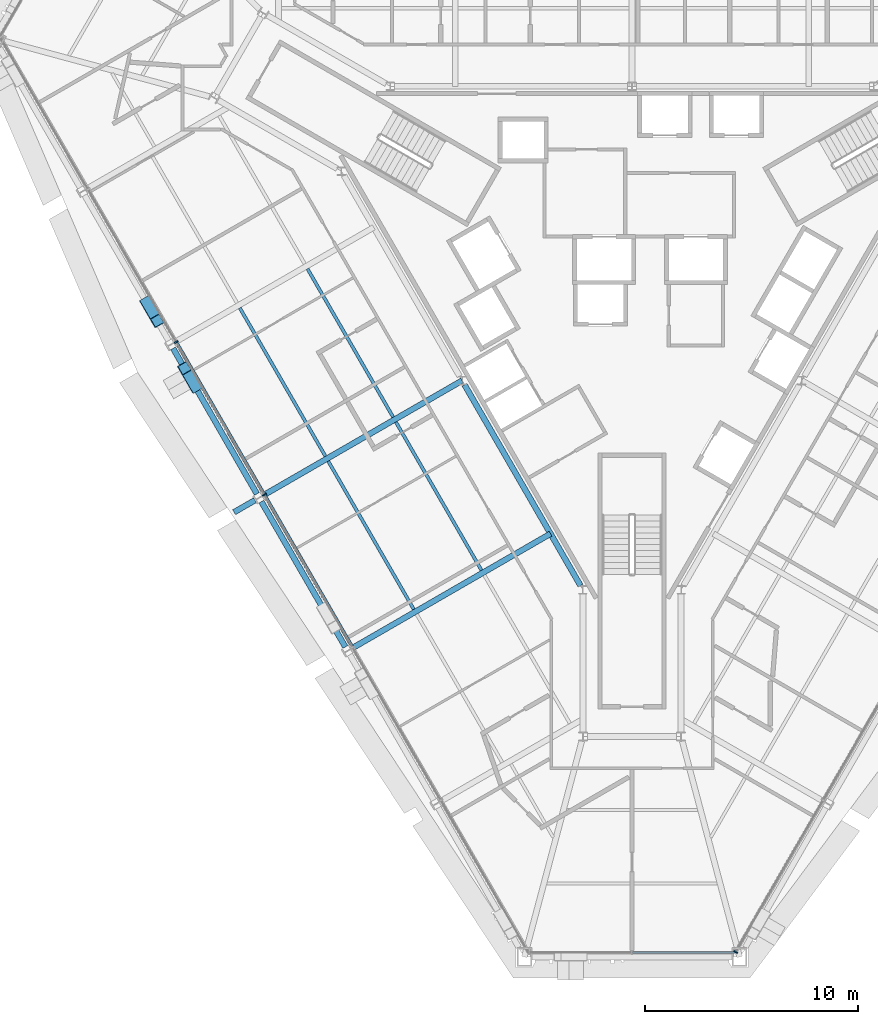
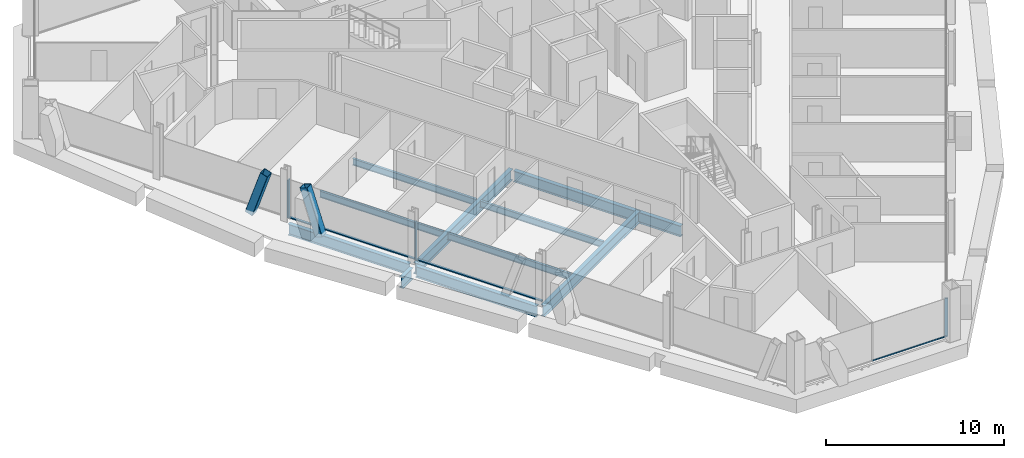
# One storey, part 4 of 17: 10 beams, 8 members, 3 elements without a shape of their own.
"""IFC4 building model written with IfcOpenShell, lengths in metres."""

import ifcopenshell
import ifcopenshell.guid

model = None  # the IFC model being written
_history = None  # IfcOwnerHistory: only IFC2X3 demands one
_inside = {}  # id of a spatial element -> (the spatial element, [elements in it])
_under = {}  # id of a project, library or spatial element -> (it, [spatial elements below it])
_declared = {}  # id of a project -> (the project, [libraries it declares])
_typed = {}  # id of a type object -> (the type object, [elements of that type])
_made_of = {}  # id of a material, layer set ... -> (it, [elements and type objects made of it])


def new_model(schema):
    """Start an empty IFC model of exactly this schema.

    Asked for "IFC4X3", IfcOpenShell would pick the latest addendum, in which some entities
    have other attributes; the version numbers below select the first issue.
    IFC2X3 requires an IfcOwnerHistory on every rooted entity: one is made here for all.
    """
    global model, _history
    if schema == "IFC4X3":
        model = ifcopenshell.file(schema_version=(4, 3, 0, 0))
    else:
        model = ifcopenshell.file(schema=schema)
    _inside.clear()
    _under.clear()
    _declared.clear()
    _typed.clear()
    _made_of.clear()
    _history = None
    if model.schema == "IFC2X3":
        org = make("IfcOrganization", Name="unknown")
        user = make(
            "IfcPersonAndOrganization",
            ThePerson=make("IfcPerson", FamilyName="unknown"),
            TheOrganization=org,
        )
        app = make(
            "IfcApplication",
            ApplicationDeveloper=org,
            Version="unknown",
            ApplicationFullName="unknown",
            ApplicationIdentifier="unknown",
        )
        _history = make(
            "IfcOwnerHistory",
            OwningUser=user,
            OwningApplication=app,
            ChangeAction="ADDED",
            CreationDate=0,
        )
    return model


def make(cls, **values):
    """One entity of the class cls with the attributes given. An attribute that is None is left unset."""
    return model.create_entity(
        cls, **{name: value for name, value in values.items() if value is not None}
    )


def rooted(cls, **values):
    """An entity with a GlobalId (a new one), such as an element, a storey or a relation."""
    return make(cls, GlobalId=ifcopenshell.guid.new(), OwnerHistory=_history, **values)


def si_unit(unit_type, name, prefix=None):
    """IfcSIUnit, for example si_unit("LENGTHUNIT", "METRE", prefix="MILLI")."""
    return make("IfcSIUnit", UnitType=unit_type, Prefix=prefix, Name=name)


def assignment(units):
    """IfcUnitAssignment: the units of a project."""
    return None if units is None else make("IfcUnitAssignment", Units=units)


def point(xyz):
    """IfcCartesianPoint."""
    return None if xyz is None else make("IfcCartesianPoint", Coordinates=xyz)


def direction(xyz):
    """IfcDirection."""
    return None if xyz is None else make("IfcDirection", DirectionRatios=xyz)


def frame(location, z_axis=None, x_axis=None):
    """IfcAxis2Placement3D, a coordinate frame: its origin and axes. An axis left out is left unset."""
    return make(
        "IfcAxis2Placement3D",
        Location=point(location),
        Axis=direction(z_axis),
        RefDirection=direction(x_axis),
    )


def frame_2d(location, x_axis=None):
    """IfcAxis2Placement2D, a coordinate frame in the plane: its origin and x axis."""
    return make(
        "IfcAxis2Placement2D", Location=point(location), RefDirection=direction(x_axis)
    )


def origin():
    """The frame at (0, 0, 0) with its axes left unset."""
    return frame((0.0, 0.0, 0.0))


def origin_2d():
    """The frame at (0, 0) in the plane with its x axis left unset."""
    return frame_2d((0.0, 0.0))


def place(relative_to, where):
    """IfcLocalPlacement: puts the frame where relative to a parent placement (None: the world)."""
    return make(
        "IfcLocalPlacement", PlacementRelTo=relative_to, RelativePlacement=where
    )


def context(
    kind, dimensions, precision=None, world=None, true_north=None, identifier=None
):
    """IfcGeometricRepresentationContext, for example the 3D "Model" context."""
    return make(
        "IfcGeometricRepresentationContext",
        ContextIdentifier=identifier,
        ContextType=kind,
        CoordinateSpaceDimension=dimensions,
        Precision=precision,
        WorldCoordinateSystem=world,
        TrueNorth=true_north,
    )


def subcontext(parent, identifier, kind, view, scale=None):
    """IfcGeometricRepresentationSubContext, for example "Body" below "Model"."""
    return make(
        "IfcGeometricRepresentationSubContext",
        ContextIdentifier=identifier,
        ContextType=kind,
        ParentContext=parent,
        TargetScale=scale,
        TargetView=view,
    )


def project(units=None, contexts=None):
    """IfcProject with its units and contexts."""
    return rooted(
        "IfcProject",
        Name="project",
        RepresentationContexts=contexts,
        UnitsInContext=assignment(units),
    )


def spatial(cls, under=None, at=None, **own):
    """A site, building, storey or space (cls), placed at a placement, below another one or the project."""
    s = rooted(cls, ObjectPlacement=at, **own)
    if under is not None:
        _under.setdefault(under.id(), (under, []))[1].append(s)
    return s


def profile(cls, at=None, kind="AREA", **sizes):
    """A parametric profile (cls). Its sizes go by their IFC names, for example OverallWidth=200.0."""
    return make(cls, ProfileType=kind, Position=at, **sizes)


def rectangle(**sizes):
    """IfcRectangleProfileDef."""
    return profile("IfcRectangleProfileDef", **sizes)


def hollow_rectangle(**sizes):
    """IfcRectangleHollowProfileDef."""
    return profile("IfcRectangleHollowProfileDef", **sizes)


def i_section(**sizes):
    """IfcIShapeProfileDef."""
    return profile("IfcIShapeProfileDef", **sizes)


def extrude(swept, where, along, depth):
    """IfcExtrudedAreaSolid: the profile swept, set in the frame where, extruded along a direction by depth."""
    return make(
        "IfcExtrudedAreaSolid",
        SweptArea=swept,
        Position=where,
        ExtrudedDirection=direction(along),
        Depth=depth,
    )


def shape(context_of_items, identifier, shape_type, items):
    """IfcShapeRepresentation: the items that make up one representation, for example the "Body"."""
    return make(
        "IfcShapeRepresentation",
        ContextOfItems=context_of_items,
        RepresentationIdentifier=identifier,
        RepresentationType=shape_type,
        Items=items,
    )


def material(Name=None, Category=None):
    """IfcMaterial."""
    return make("IfcMaterial", Name=Name, Category=Category)


def material_profile(
    of_material, cross_section, Name=None, Category=None, Priority=None
):
    """IfcMaterialProfile: a cross section and its material."""
    return make(
        "IfcMaterialProfile",
        Name=Name,
        Material=of_material,
        Profile=cross_section,
        Priority=Priority,
        Category=Category,
    )


def profile_set(profiles, Name=None, composite=None):
    """IfcMaterialProfileSet."""
    return make(
        "IfcMaterialProfileSet",
        Name=Name,
        MaterialProfiles=profiles,
        CompositeProfile=composite,
    )


def made_of(thing, what):
    """Note that an element or type object is made of a material, layer set ...; save() writes the relation."""
    if what is not None:
        _made_of.setdefault(what.id(), (what, []))[1].append(thing)
    return thing


def type_object(cls, material=None, **own):
    """A type object (cls), such as IfcWallType, which elements share."""
    return made_of(rooted(cls, **own), material)


def element(
    cls,
    number,
    at=None,
    inside=None,
    cuts=None,
    type_object=None,
    material=None,
    context=None,
    identifier="Body",
    shape_type=None,
    held_by="IfcProductDefinitionShape",
    body=None,
    shapes=None,
    **own,
):
    """One element of the class cls, such as IfcWall. Its Tag is "e" and its number.

    at: its placement. inside: the storey or other place that contains it. cuts: it is an
    opening in that element (IfcRelVoidsElement). A single representation is given by context,
    identifier, shape_type and body (its items); several are given by shapes. held_by: the class
    of the entity that holds the representations. save() writes the other relations.
    """
    e = rooted(cls, Tag="e%d" % number, ObjectPlacement=at, **own)
    if body is not None:
        shapes = [shape(context, identifier, shape_type, body)]
    if shapes is not None:
        e.Representation = make(held_by, Representations=shapes)
    if inside is not None:
        _inside.setdefault(inside.id(), (inside, []))[1].append(e)
    if cuts is not None:
        rooted(
            "IfcRelVoidsElement", RelatingBuildingElement=cuts, RelatedOpeningElement=e
        )
    if type_object is not None:
        _typed.setdefault(type_object.id(), (type_object, []))[1].append(e)
    return made_of(e, material)


def aggregate(whole, parts):
    """IfcRelAggregates: a whole, such as a stair, and the parts it consists of."""
    return rooted("IfcRelAggregates", RelatingObject=whole, RelatedObjects=parts)


def save(model, path):
    """Write the relations noted so far, then the file.

    IfcRelAggregates (storeys below a building ...), IfcRelContainedInSpatialStructure (elements
    in a storey), IfcRelDefinesByType, IfcRelAssociatesMaterial and IfcRelDeclares: one each for
    every whole, place, type object, material and project.
    """
    for whole, parts in _under.values():
        aggregate(whole, parts)
    for where, things in _inside.values():
        rooted(
            "IfcRelContainedInSpatialStructure",
            RelatedElements=things,
            RelatingStructure=where,
        )
    for kind, things in _typed.values():
        rooted("IfcRelDefinesByType", RelatedObjects=things, RelatingType=kind)
    for what, things in _made_of.values():
        rooted("IfcRelAssociatesMaterial", RelatedObjects=things, RelatingMaterial=what)
    for by, libraries in _declared.values():
        rooted("IfcRelDeclares", RelatingContext=by, RelatedDefinitions=libraries)
    model.write(path)


model = new_model("IFC4")

# Units and contexts
model_context = context("Model", 3, precision=1e-05, world=origin(), true_north=direction((0.0, 1.0)))
body_context = subcontext(model_context, "Body", "Model", "MODEL_VIEW")
ifc_project = project(units=[si_unit("LENGTHUNIT", "METRE"), si_unit("AREAUNIT", "SQUARE_METRE"), si_unit("VOLUMEUNIT", "CUBIC_METRE"), si_unit("PLANEANGLEUNIT", "RADIAN"), si_unit("MASSUNIT", "GRAM", prefix="KILO")], contexts=[model_context])

# Site, building, storey
site_placement = place(None, origin())
site = spatial("IfcSite", under=ifc_project, at=site_placement, CompositionType="ELEMENT")
building_placement = place(site_placement, origin())
building = spatial("IfcBuilding", under=site, at=building_placement, Name="Verrane Prism Tower", CompositionType="ELEMENT")
storey_placement = place(building_placement, frame((0.0, 0.0, 136.0)))
storey = spatial("IfcBuildingStorey", under=building, at=storey_placement, Name="L33", CompositionType="ELEMENT", Elevation=136.0)

# Beam
ifc_material_1 = material(Name="Steel A992", Category="steel")
ifc_material_profile_1 = material_profile(ifc_material_1, i_section(OverallWidth=0.2666015625, OverallDepth=0.7568359375, WebThickness=0.013916015625, FlangeThickness=0.019287109375, FilletRadius=0.0166015625, at=origin_2d()), Name="W30x108")
ifc_profile_set_1 = profile_set([ifc_material_profile_1], Name="Steel A992")
beam_type_1 = type_object("IfcBeamType", Name="Core ring girder W30x108", PredefinedType="BEAM", material=ifc_profile_set_1)
beam_1_placement = place(storey_placement, frame((-7.85498046875, -4.79931640625, -0.62841796875), z_axis=(0.500034555306, -0.86600545235, 0.0), x_axis=(0.86600545235, 0.500034555306, 0.0)))
element("IfcBeam", 1, at=beam_1_placement, inside=storey, type_object=beam_type_1, Name="Core ring girder L33", PredefinedType="BEAM", context=body_context, shape_type="SweptSolid", body=[
    extrude(i_section(OverallWidth=0.2666015625, OverallDepth=0.7568359375, WebThickness=0.013916015625, FlangeThickness=0.019287109375, FilletRadius=0.0166015625, at=origin_2d()), origin(), (0.0, 0.0, 1.0), 10.879150390625),
])

# Members
ifc_material_2 = material(Name="Steel A1085 Grade A", Category="steel")
ifc_material_profile_2 = material_profile(ifc_material_2, hollow_rectangle(XDim=0.508056640625, YDim=0.508056640625, WallThickness=0.025390625, InnerFilletRadius=0.0126953125, OuterFilletRadius=0.0380859375, at=origin_2d()), Name="HSS20x20x1")
ifc_profile_set_2 = profile_set([ifc_material_profile_2], Name="Steel A1085 Grade A")
member_type_1 = type_object("IfcMemberType", Name="Facade brace HSS20x20x1", PredefinedType="BRACE", material=ifc_profile_set_2)
member_1_placement = place(storey_placement, frame((-22.76708984375, -0.94287109375, -0.24267578125), z_axis=(0.156487685376, -0.270654316924, 0.949872541479), x_axis=(0.865713128384, 0.500540487217, 0.0)))
element("IfcMember", 2, at=member_1_placement, inside=storey, type_object=member_type_1, Name="Facade brace SW1 L33", PredefinedType="BRACE", context=body_context, shape_type="SweptSolid", body=[
    extrude(hollow_rectangle(XDim=0.508056640625, YDim=0.508056640625, WallThickness=0.025390625, InnerFilletRadius=0.0126953125, OuterFilletRadius=0.0380859375, at=origin_2d()), origin(), (0.0, 0.0, 1.0), 3.1669921875),
])
member_2_placement = place(storey_placement, frame((-20.495849609375, -4.8798828125, -0.24267578125), z_axis=(-0.156020148581, 0.271031048622, 0.949842031035), x_axis=(-0.866661212793, -0.498897125908, 0.0)))
element("IfcMember", 3, at=member_2_placement, inside=storey, type_object=member_type_1, Name="Facade brace SW2 L33", PredefinedType="BRACE", context=body_context, shape_type="SweptSolid", body=[
    extrude(hollow_rectangle(XDim=0.508056640625, YDim=0.508056640625, WallThickness=0.025390625, InnerFilletRadius=0.0126953125, OuterFilletRadius=0.0380859375, at=origin_2d()), origin(), (0.0, 0.0, 1.0), 3.167236328125),
])

# Beams
ifc_material_3 = material(Name="Steel A992", Category="steel")
ifc_material_profile_3 = material_profile(ifc_material_3, i_section(OverallWidth=0.15234375, OverallDepth=0.449462890625, WebThickness=0.007568359375, FlangeThickness=0.0107421875, FilletRadius=0.01025390625, at=origin_2d()), Name="W18x35")
ifc_profile_set_3 = profile_set([ifc_material_profile_3], Name="Steel A992")
beam_type_2 = type_object("IfcBeamType", Name="Floor beam W18x35", PredefinedType="BEAM", material=ifc_profile_set_3)
for number, where, z_axis, x_axis, name in (
    (4, (-11.20458984375, -6.314453125, -0.384765625), (-0.500007577232, 0.866021029023, 0.0), (-0.866021029023, -0.500007577232, 0.0), "Floor beam L33"),
    (5, (-14.380615234375, -8.1494140625, -0.384765625), (-0.500007577232, 0.866021029023, 0.0), (-0.866021029023, -0.500007577232, 0.0), "Floor beam L33"),
):
    element("IfcBeam", number, at=place(storey_placement, frame(where, z_axis=z_axis, x_axis=x_axis)), inside=storey, type_object=beam_type_2, Name=name, PredefinedType="BEAM", context=body_context, shape_type="SweptSolid", body=[
        extrude(i_section(OverallWidth=0.15234375, OverallDepth=0.449462890625, WebThickness=0.007568359375, FlangeThickness=0.0107421875, FilletRadius=0.01025390625, at=origin_2d()), origin(), (0.0, 0.0, 1.0), 8.02978515625),
    ])
beam_2_placement = place(storey_placement, frame((-7.061279296875, -13.498291015625, -0.384765625), z_axis=(-0.499996300355, 0.866027539765, 0.0), x_axis=(-0.866027539765, -0.499996300355, 0.0)))
element("IfcBeam", 6, at=beam_2_placement, inside=storey, type_object=beam_type_2, Name="Floor beam L33", PredefinedType="BEAM", context=body_context, shape_type="SweptSolid", body=[
    extrude(i_section(OverallWidth=0.15234375, OverallDepth=0.449462890625, WebThickness=0.007568359375, FlangeThickness=0.0107421875, FilletRadius=0.01025390625, at=origin_2d()), origin(), (0.0, 0.0, 1.0), 8.02587890625),
])
beam_3_placement = place(storey_placement, frame((-10.235595703125, -15.33251953125, -0.384765625), z_axis=(-0.500005942522, 0.86602197284, 0.0), x_axis=(-0.86602197284, -0.500005942522, 0.0)))
element("IfcBeam", 7, at=beam_3_placement, inside=storey, type_object=beam_type_2, Name="Floor beam L33", PredefinedType="BEAM", context=body_context, shape_type="SweptSolid", body=[
    extrude(i_section(OverallWidth=0.15234375, OverallDepth=0.449462890625, WebThickness=0.007568359375, FlangeThickness=0.0107421875, FilletRadius=0.01025390625, at=origin_2d()), origin(), (0.0, 0.0, 1.0), 8.0263671875),
])

# Curtain wall, members
ifc_material_4 = material(Name="Aluminium framed insulated glazing", Category="aluminium")
curtain_wall_type_1 = type_object("IfcCurtainWallType", Name="Curtain wall CW-A 8400 module", PredefinedType="NOTDEFINED", material=ifc_material_4)
curtain_wall_1_placement = place(storey_placement, origin())
curtain_wall_1 = element("IfcCurtainWall", 8, at=curtain_wall_1_placement, inside=storey, type_object=curtain_wall_type_1, Name="Glazed curtain wall south-west face L33", PredefinedType="NOTDEFINED")
ifc_material_5 = material(Name="Aluminium alloy 6063-T6", Category="aluminium")
ifc_material_profile_4 = material_profile(ifc_material_5, rectangle(XDim=0.199951171875, YDim=0.070068359375, at=origin_2d()), Name="Mullion 70x200 aluminium")
ifc_profile_set_4 = profile_set([ifc_material_profile_4], Name="Aluminium alloy 6063-T6")
member_type_2 = type_object("IfcMemberType", Name="Mullion 70x200 aluminium", PredefinedType="MULLION", material=ifc_profile_set_4)
member_3_placement = place(storey_placement, frame((-21.377197265625, -2.79541015625, 0.0), z_axis=(0.0, 0.0, 1.0), x_axis=(0.866025120648, 0.500000490406, 0.0)))
member_3 = element("IfcMember", 9, at=member_3_placement, type_object=member_type_2, Name="CW32.4 mullion 3", PredefinedType="MULLION", context=body_context, shape_type="SweptSolid", body=[
    extrude(rectangle(XDim=0.199951171875, YDim=0.070068359375, at=origin_2d()), origin(), (0.0, 0.0, 1.0), 2.61279296875),
])
member_4_placement = place(storey_placement, frame((-17.243408203125, -9.95556640625, 0.0), z_axis=(0.0, 0.0, 1.0), x_axis=(0.866025120648, 0.500000490406, 0.0)))
member_4 = element("IfcMember", 10, at=member_4_placement, type_object=member_type_2, Name="CW32.4 mullion 4", PredefinedType="MULLION", context=body_context, shape_type="SweptSolid", body=[
    extrude(rectangle(XDim=0.199951171875, YDim=0.070068359375, at=origin_2d()), origin(), (0.0, 0.0, 1.0), 2.61279296875),
])

# Curtain wall, member
curtain_wall_2_placement = place(storey_placement, origin())
curtain_wall_2 = element("IfcCurtainWall", 11, at=curtain_wall_2_placement, inside=storey, type_object=curtain_wall_type_1, Name="Glazed curtain wall south-east face L33", PredefinedType="NOTDEFINED")
member_5_placement = place(storey_placement, frame((4.859375, -31.4052734375, 0.0), z_axis=(0.0, 0.0, 1.0), x_axis=(-0.866025120648, 0.500000490406, 0.0)))
member_5 = element("IfcMember", 12, at=member_5_placement, type_object=member_type_2, Name="CW32.6 mullion 1", PredefinedType="MULLION", context=body_context, shape_type="SweptSolid", body=[
    extrude(rectangle(XDim=0.199951171875, YDim=0.070068359375, at=origin_2d()), origin(), (0.0, 0.0, 1.0), 2.61279296875),
])
aggregate(curtain_wall_2, [member_5])

# Beams
ifc_material_6 = material(Name="Steel A992", Category="steel")
ifc_material_profile_5 = material_profile(ifc_material_6, i_section(OverallWidth=0.2666015625, OverallDepth=0.76708984375, WebThickness=0.014892578125, FlangeThickness=0.023681640625, FilletRadius=0.0166015625, at=origin_2d()), Name="W30x124")
ifc_profile_set_5 = profile_set([ifc_material_profile_5], Name="Steel A992")
beam_type_3 = type_object("IfcBeamType", Name="Radial girder W30x124", PredefinedType="BEAM", material=ifc_profile_set_5)
beam_4_placement = place(storey_placement, frame((-17.293212890625, -9.986328125, -0.603515625), z_axis=(0.866028508142, 0.499994623057, 0.0), x_axis=(-0.499994623057, 0.866028508142, 0.0)))
element("IfcBeam", 13, at=beam_4_placement, inside=storey, type_object=beam_type_3, Name="Radial girder L33", PredefinedType="BEAM", context=body_context, shape_type="SweptSolid", body=[
    extrude(i_section(OverallWidth=0.2666015625, OverallDepth=0.76708984375, WebThickness=0.014892578125, FlangeThickness=0.023681640625, FilletRadius=0.0166015625, at=origin_2d()), origin(), (0.0, 0.0, 1.0), 10.76708984375),
])
beam_5_placement = place(storey_placement, frame((-13.14306640625, -17.166259765625, -0.603515625), z_axis=(0.86602769501, 0.499996031459, 0.0), x_axis=(-0.499996031459, 0.86602769501, 0.0)))
element("IfcBeam", 14, at=beam_5_placement, inside=storey, type_object=beam_type_3, Name="Radial girder L33", PredefinedType="BEAM", context=body_context, shape_type="SweptSolid", body=[
    extrude(i_section(OverallWidth=0.2666015625, OverallDepth=0.76708984375, WebThickness=0.014892578125, FlangeThickness=0.023681640625, FilletRadius=0.0166015625, at=origin_2d()), origin(), (0.0, 0.0, 1.0), 10.76318359375),
])
beam_6_placement = place(storey_placement, frame((-17.683349609375, -10.211669921875, -0.603515625), z_axis=(-0.866070617526, -0.499921679324, 0.0), x_axis=(0.499921679324, -0.866070617526, 0.0)))
element("IfcBeam", 15, at=beam_6_placement, inside=storey, type_object=beam_type_3, Name="Cantilever girder L33", PredefinedType="BEAM", context=body_context, shape_type="SweptSolid", body=[
    extrude(i_section(OverallWidth=0.2666015625, OverallDepth=0.76708984375, WebThickness=0.014892578125, FlangeThickness=0.023681640625, FilletRadius=0.0166015625, at=origin_2d()), origin(), (0.0, 0.0, 1.0), 1.131591796875),
])
ifc_material_7 = material(Name="Steel A992", Category="steel")
ifc_material_profile_6 = material_profile(ifc_material_7, i_section(OverallWidth=0.2666015625, OverallDepth=0.7568359375, WebThickness=0.013916015625, FlangeThickness=0.019287109375, FilletRadius=0.0166015625, at=origin_2d()), Name="W30x108")
ifc_profile_set_6 = profile_set([ifc_material_profile_6], Name="Steel A992")
beam_type_4 = type_object("IfcBeamType", Name="Spandrel beam W30x108", PredefinedType="SPANDREL", material=ifc_profile_set_6)
beam_7_placement = place(storey_placement, frame((-21.525390625, -3.091552734375, -0.53857421875), z_axis=(0.49898983609, -0.86660783719, 0.0), x_axis=(0.86660783719, 0.49898983609, 0.0)))
element("IfcBeam", 16, at=beam_7_placement, inside=storey, type_object=beam_type_4, Name="Spandrel beam L33", PredefinedType="SPANDREL", context=body_context, shape_type="SweptSolid", body=[
    extrude(i_section(OverallWidth=0.2666015625, OverallDepth=0.7568359375, WebThickness=0.013916015625, FlangeThickness=0.019287109375, FilletRadius=0.0166015625, at=origin_2d()), origin(), (0.0, 0.0, 1.0), 7.877685546875),
])
beam_8_placement = place(storey_placement, frame((-17.385009765625, -10.281494140625, -0.53857421875), z_axis=(0.500410353056, -0.865788356675, 0.0), x_axis=(0.865788356675, 0.500410353056, 0.0)))
element("IfcBeam", 17, at=beam_8_placement, inside=storey, type_object=beam_type_4, Name="Spandrel beam L33", PredefinedType="SPANDREL", context=body_context, shape_type="SweptSolid", body=[
    extrude(i_section(OverallWidth=0.2666015625, OverallDepth=0.7568359375, WebThickness=0.013916015625, FlangeThickness=0.019287109375, FilletRadius=0.0166015625, at=origin_2d()), origin(), (0.0, 0.0, 1.0), 7.8740234375),
])

# Curtain wall, member
ifc_material_8 = material(Name="Aluminium framed insulated glazing", Category="aluminium")
curtain_wall_type_2 = type_object("IfcCurtainWallType", Name="Curtain wall CW-C 4200 module", PredefinedType="NOTDEFINED", material=ifc_material_8)
curtain_wall_3_placement = place(storey_placement, origin())
curtain_wall_3 = element("IfcCurtainWall", 18, at=curtain_wall_3_placement, inside=storey, type_object=curtain_wall_type_2, Name="Glazed curtain wall south corner L33", PredefinedType="NOTDEFINED")
ifc_material_9 = material(Name="Aluminium alloy 6063-T6", Category="aluminium")
ifc_material_profile_7 = material_profile(ifc_material_9, rectangle(XDim=0.10009765625, YDim=0.050048828125, at=origin_2d()), Name="Transom 50x100 aluminium")
ifc_profile_set_7 = profile_set([ifc_material_profile_7], Name="Aluminium alloy 6063-T6")
member_type_3 = type_object("IfcMemberType", Name="Transom 50x100 aluminium", PredefinedType="USERDEFINED", material=ifc_profile_set_7)
member_6_placement = place(storey_placement, frame((0.02490234375, -31.435546875, 0.02490234375), z_axis=(1.0, 0.0, 0.0), x_axis=(0.0, 1.0, 0.0)))
member_6 = element("IfcMember", 19, at=member_6_placement, type_object=member_type_3, Name="CW32.5 transom 2", ObjectType="TRANSOM", PredefinedType="USERDEFINED", context=body_context, shape_type="SweptSolid", body=[
    extrude(rectangle(XDim=0.10009765625, YDim=0.050048828125, at=origin_2d()), origin(), (0.0, 0.0, 1.0), 4.81689453125),
])
aggregate(curtain_wall_3, [member_6])

# Member
ifc_material_10 = material(Name="Aluminium alloy 6063-T6", Category="aluminium")
ifc_material_profile_8 = material_profile(ifc_material_10, rectangle(XDim=0.14990234375, YDim=0.070068359375, at=origin_2d()), Name="Transom 70x150 aluminium")
ifc_profile_set_8 = profile_set([ifc_material_profile_8], Name="Aluminium alloy 6063-T6")
member_type_4 = type_object("IfcMemberType", Name="Transom 70x150 aluminium", PredefinedType="USERDEFINED", material=ifc_profile_set_8)
member_7_placement = place(storey_placement, frame((-21.359619140625, -2.825927734375, 0.034912109375), z_axis=(0.499982834708, -0.866035313943, 0.0), x_axis=(0.866035313943, 0.499982834708, 0.0)))
member_7 = element("IfcMember", 20, at=member_7_placement, type_object=member_type_4, Name="CW32.4 transom 3", ObjectType="TRANSOM", PredefinedType="USERDEFINED", context=body_context, shape_type="SweptSolid", body=[
    extrude(rectangle(XDim=0.14990234375, YDim=0.070068359375, at=origin_2d()), origin(), (0.0, 0.0, 1.0), 8.197509765625),
])

member_8_placement = place(storey_placement, frame((-17.225830078125, -9.98583984375, 0.034912109375), z_axis=(0.500005171338, -0.866022418091, 0.0), x_axis=(0.866022418091, 0.500005171338, 0.0)))
member_8 = element("IfcMember", 21, at=member_8_placement, type_object=member_type_4, Name="CW32.4 transom 4", ObjectType="TRANSOM", PredefinedType="USERDEFINED", context=body_context, shape_type="SweptSolid", body=[
    extrude(rectangle(XDim=0.14990234375, YDim=0.070068359375, at=origin_2d()), origin(), (0.0, 0.0, 1.0), 8.19775390625),
])

aggregate(curtain_wall_1, [member_3, member_4, member_7, member_8])

save(model, "model.ifc")
